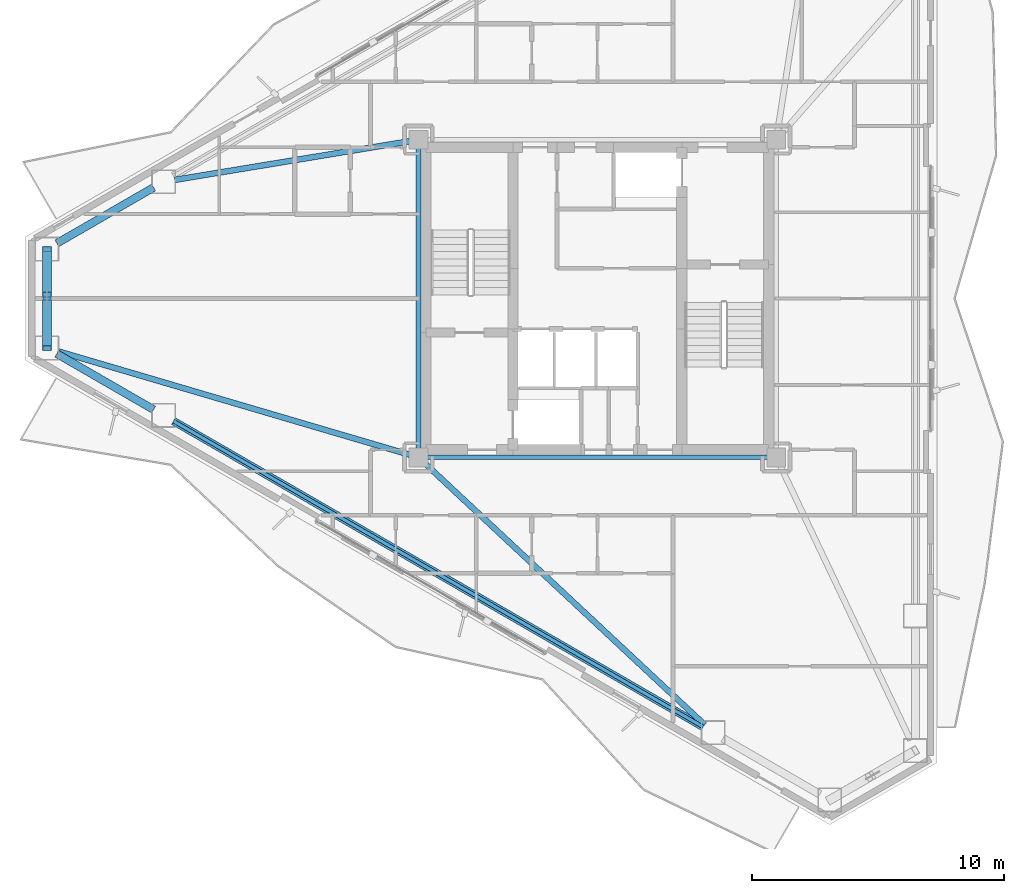
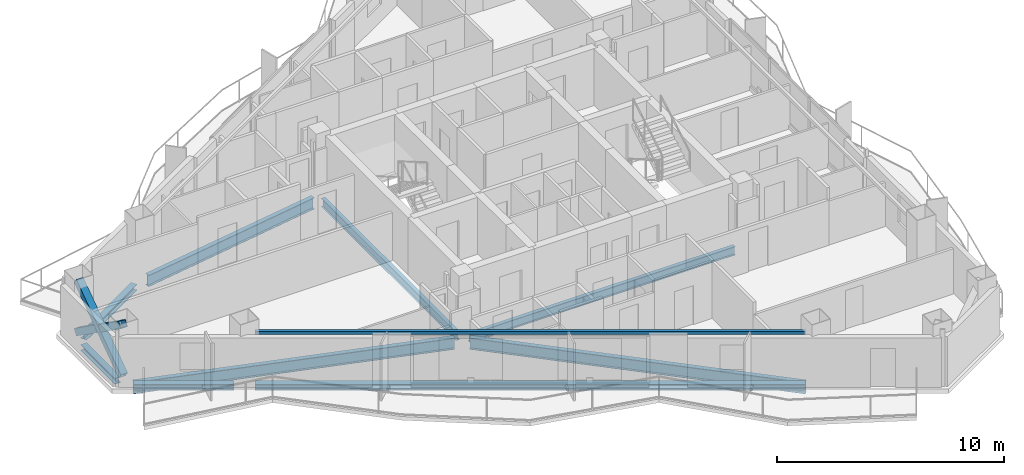
# One storey, part 4 of 18: 10 beams, 3 members.
"""IFC4 building model written with IfcOpenShell, lengths in metres."""

from ifc_helpers import new_model, si_unit, direction, frame, origin, origin_2d, place, context, subcontext, project, spatial, hollow_rectangle, i_section, extrude, material, material_profile, profile_set, type_object, element, save


model = new_model("IFC4")

# Units and contexts
model_context = context("Model", 3, precision=1e-05, world=origin(), true_north=direction((0.0, 1.0)))
body_context = subcontext(model_context, "Body", "Model", "MODEL_VIEW")
ifc_project = project(units=[si_unit("LENGTHUNIT", "METRE"), si_unit("AREAUNIT", "SQUARE_METRE"), si_unit("VOLUMEUNIT", "CUBIC_METRE"), si_unit("PLANEANGLEUNIT", "RADIAN"), si_unit("MASSUNIT", "GRAM", prefix="KILO")], contexts=[model_context])

# Site, building, storey
site_placement = place(None, origin())
site = spatial("IfcSite", under=ifc_project, at=site_placement, CompositionType="ELEMENT")
building_placement = place(site_placement, origin())
building = spatial("IfcBuilding", under=site, at=building_placement, Name="Mersakhor Tower and Convention Hall", CompositionType="ELEMENT")
storey_placement = place(building_placement, frame((0.0, 0.0, 154.199951171875)))
storey = spatial("IfcBuildingStorey", under=building, at=storey_placement, Name="L43", CompositionType="ELEMENT", Elevation=154.199951171875)

# Beams
ifc_material_1 = material(Name="Steel S355", Category="steel")
ifc_material_profile_1 = material_profile(ifc_material_1, i_section(OverallWidth=0.19140625, OverallDepth=0.4599609375, WebThickness=0.010009765625, FlangeThickness=0.01611328125, at=origin_2d()), Name="UB 457x191x82")
ifc_profile_set_1 = profile_set([ifc_material_profile_1], Name="Steel S355")
beam_type_1 = type_object("IfcBeamType", Name="BM-FB-457", PredefinedType="BEAM", material=ifc_profile_set_1)
beam_1_placement = place(storey_placement, frame((21.89990234375, 20.804931640625, -0.469970703125), z_axis=(0.0, 1.0, 0.0), x_axis=(-1.0, 0.0, 0.0)))
element("IfcBeam", 1, at=beam_1_placement, inside=storey, type_object=beam_type_1, Name="L43 Core Ring Tie Beam CRB-1", PredefinedType="BEAM", context=body_context, shape_type="SweptSolid", body=[
    extrude(i_section(OverallWidth=0.19140625, OverallDepth=0.4599609375, WebThickness=0.010009765625, FlangeThickness=0.01611328125, at=origin_2d()), origin(), (0.0, 0.0, 1.0), 11.89013671875),
])
beam_2_placement = place(storey_placement, frame((35.7451171875, 20.449951171875, -0.469970703125), z_axis=(-1.0, 0.0, 0.0), x_axis=(0.0, -1.0, 0.0)))
element("IfcBeam", 2, at=beam_2_placement, inside=storey, type_object=beam_type_1, Name="L43 Core Ring Tie Beam CRB-4", PredefinedType="BEAM", context=body_context, shape_type="SweptSolid", body=[
    extrude(i_section(OverallWidth=0.19140625, OverallDepth=0.4599609375, WebThickness=0.010009765625, FlangeThickness=0.01611328125, at=origin_2d()), origin(), (0.0, 0.0, 1.0), 13.490234375),
])
ifc_material_2 = material(Name="Steel S355", Category="steel")
ifc_material_profile_2 = material_profile(ifc_material_2, hollow_rectangle(XDim=0.14990234375, YDim=0.14990234375, WallThickness=0.010009765625, at=origin_2d()), Name="SHS 150x150x10")
ifc_profile_set_2 = profile_set([ifc_material_profile_2], Name="Steel S355")
beam_type_2 = type_object("IfcBeamType", Name="BM-GRT-SHS150", PredefinedType="USERDEFINED", material=ifc_profile_set_2)
beam_3_placement = place(storey_placement, frame((33.198486328125, 9.754638671875, 2.47998046875), z_axis=(-0.866027433267, 0.499996484816, 0.0), x_axis=(-0.499996484816, -0.866027433267, 0.0)))
element("IfcBeam", 3, at=beam_3_placement, inside=storey, type_object=beam_type_2, Name="L43 Facade Support Girt GRT-F3", ObjectType="GIRT", PredefinedType="USERDEFINED", context=body_context, shape_type="SweptSolid", body=[
    extrude(hollow_rectangle(XDim=0.14990234375, YDim=0.14990234375, WallThickness=0.010009765625, at=origin_2d()), origin(), (0.0, 0.0, 1.0), 24.267333984375),
])
ifc_material_3 = material(Name="Steel S355", Category="steel")
ifc_material_profile_3 = material_profile(ifc_material_3, i_section(OverallWidth=0.22900390625, OverallDepth=0.6123046875, WebThickness=0.011962890625, FlangeThickness=0.01953125, at=origin_2d()), Name="UB 610x229x125")
ifc_profile_set_3 = profile_set([ifc_material_profile_3], Name="Steel S355")
beam_type_3 = type_object("IfcBeamType", Name="BM-PR-610", PredefinedType="BEAM", material=ifc_profile_set_3)
beam_4_placement = place(storey_placement, frame((21.5498046875, 32.9921875, -0.546142578125), z_axis=(-0.986703962282, -0.162527815515, 0.0), x_axis=(0.162527815515, -0.986703962282, 0.0)))
element("IfcBeam", 4, at=beam_4_placement, inside=storey, type_object=beam_type_3, Name="L43 Primary Floor Girder FG-1", PredefinedType="BEAM", context=body_context, shape_type="SweptSolid", body=[
    extrude(i_section(OverallWidth=0.22900390625, OverallDepth=0.6123046875, WebThickness=0.011962890625, FlangeThickness=0.01953125, at=origin_2d()), origin(), (0.0, 0.0, 1.0), 9.43798828125),
])
beam_5_placement = place(storey_placement, frame((22.159423828125, 20.207763671875, -0.546142578125), z_axis=(0.730740936679, -0.682654878736, 0.0), x_axis=(0.682654878736, 0.730740936679, 0.0)))
element("IfcBeam", 5, at=beam_5_placement, inside=storey, type_object=beam_type_3, Name="L43 Primary Floor Girder FG-5", PredefinedType="BEAM", context=body_context, shape_type="SweptSolid", body=[
    extrude(i_section(OverallWidth=0.22900390625, OverallDepth=0.6123046875, WebThickness=0.011962890625, FlangeThickness=0.01953125, at=origin_2d()), origin(), (0.0, 0.0, 1.0), 15.19091796875),
])
beam_6_placement = place(storey_placement, frame((21.559326171875, 20.55029296875, -0.546142578125), z_axis=(-0.959324090351, 0.282307083992, 0.0), x_axis=(-0.282307083992, -0.959324090351, 0.0)))
element("IfcBeam", 6, at=beam_6_placement, inside=storey, type_object=beam_type_3, Name="L43 Primary Floor Girder FG-6", PredefinedType="BEAM", context=body_context, shape_type="SweptSolid", body=[
    extrude(i_section(OverallWidth=0.22900390625, OverallDepth=0.6123046875, WebThickness=0.011962890625, FlangeThickness=0.01953125, at=origin_2d()), origin(), (0.0, 0.0, 1.0), 14.5546875),
])
ifc_material_4 = material(Name="Steel S355", Category="steel")
ifc_material_profile_4 = material_profile(ifc_material_4, i_section(OverallWidth=0.30908203125, OverallDepth=0.320556640625, WebThickness=0.013916015625, FlangeThickness=0.021728515625, at=origin_2d()), Name="UC 305x305x137")
ifc_profile_set_4 = profile_set([ifc_material_profile_4], Name="Steel S355")
beam_type_4 = type_object("IfcBeamType", Name="BM-SPD-UC305", PredefinedType="SPANDREL", material=ifc_profile_set_4)
beam_7_placement = place(storey_placement, frame((7.55419921875, 28.939697265625, -0.400146484375), z_axis=(0.866028798401, 0.499994120305, 0.0), x_axis=(-0.499994120305, 0.866028798401, 0.0)))
element("IfcBeam", 7, at=beam_7_placement, inside=storey, type_object=beam_type_4, Name="L43 Perimeter Spandrel Beam SPB-01", PredefinedType="SPANDREL", context=body_context, shape_type="SweptSolid", body=[
    extrude(i_section(OverallWidth=0.30908203125, OverallDepth=0.320556640625, WebThickness=0.013916015625, FlangeThickness=0.021728515625, at=origin_2d()), origin(), (0.0, 0.0, 1.0), 4.43408203125),
])
beam_8_placement = place(storey_placement, frame((33.198486328125, 9.754638671875, -0.400146484375), z_axis=(-0.866027433267, 0.499996484816, 0.0), x_axis=(-0.499996484816, -0.866027433267, 0.0)))
element("IfcBeam", 8, at=beam_8_placement, inside=storey, type_object=beam_type_4, Name="L43 Perimeter Spandrel Beam SPB-10", PredefinedType="SPANDREL", context=body_context, shape_type="SweptSolid", body=[
    extrude(i_section(OverallWidth=0.30908203125, OverallDepth=0.320556640625, WebThickness=0.013916015625, FlangeThickness=0.021728515625, at=origin_2d()), origin(), (0.0, 0.0, 1.0), 24.267333984375),
])
beam_9_placement = place(storey_placement, frame((11.394287109375, 22.34326171875, -0.400146484375), z_axis=(-0.866028798401, 0.499994120305, 0.0), x_axis=(-0.499994120305, -0.866028798401, 0.0)))
element("IfcBeam", 9, at=beam_9_placement, inside=storey, type_object=beam_type_4, Name="L43 Perimeter Spandrel Beam SPB-11", PredefinedType="SPANDREL", context=body_context, shape_type="SweptSolid", body=[
    extrude(i_section(OverallWidth=0.30908203125, OverallDepth=0.320556640625, WebThickness=0.013916015625, FlangeThickness=0.021728515625, at=origin_2d()), origin(), (0.0, 0.0, 1.0), 4.43408203125),
])
beam_10_placement = place(storey_placement, frame((7.160400390625, 25.24267578125, -0.400146484375), z_axis=(0.0, 1.0, 0.0), x_axis=(-1.0, 0.0, 0.0)))
element("IfcBeam", 10, at=beam_10_placement, inside=storey, type_object=beam_type_4, Name="L43 Perimeter Spandrel Beam SPB-12", PredefinedType="SPANDREL", context=body_context, shape_type="SweptSolid", body=[
    extrude(i_section(OverallWidth=0.30908203125, OverallDepth=0.320556640625, WebThickness=0.013916015625, FlangeThickness=0.021728515625, at=origin_2d()), origin(), (0.0, 0.0, 1.0), 3.0146484375),
])

# Members
ifc_material_5 = material(Name="Steel S460", Category="steel")
ifc_material_profile_5 = material_profile(ifc_material_5, hollow_rectangle(XDim=0.35009765625, YDim=0.35009765625, WallThickness=0.02001953125, at=origin_2d()), Name="SHS 350x350x20")
ifc_profile_set_5 = profile_set([ifc_material_profile_5], Name="Steel S460")
member_type = type_object("IfcMemberType", Name="MB-BRC-SHS350", PredefinedType="BRACE", material=ifc_profile_set_5)
member_placement = place(storey_placement, frame((7.160400390625, 24.78759765625, 0.150146484375), z_axis=(0.0, 0.817991748952, 0.575229952843), x_axis=(-1.0, 0.0, 0.0)))
element("IfcMember", 11, at=member_placement, inside=storey, type_object=member_type, Name="L43 Chamfer Braced Frame Diagonal CB-3A", PredefinedType="BRACE", context=body_context, shape_type="SweptSolid", body=[
    extrude(hollow_rectangle(XDim=0.35009765625, YDim=0.35009765625, WallThickness=0.02001953125, at=origin_2d()), origin(), (0.0, 0.0, 1.0), 4.798095703125),
])
for number, where, z_axis, x_axis, name in (
    (12, (7.160400390625, 28.71240234375, 0.150146484375), (0.0, -0.818012878097, 0.575199905483), (1.0, 0.0, 0.0), "L43 Chamfer Braced Frame Diagonal CB-3B Lower Half"),
    (13, (7.160400390625, 26.59130859375, 1.6416015625), (0.0, -0.817960781121, 0.575273987372), (1.0, 0.0, 0.0), "L43 Chamfer Braced Frame Diagonal CB-3B Upper Half"),
):
    element("IfcMember", number, at=place(storey_placement, frame(where, z_axis=z_axis, x_axis=x_axis)), inside=storey, type_object=member_type, Name=name, PredefinedType="BRACE", context=body_context, shape_type="SweptSolid", body=[
        extrude(hollow_rectangle(XDim=0.35009765625, YDim=0.35009765625, WallThickness=0.02001953125, at=origin_2d()), origin(), (0.0, 0.0, 1.0), 2.205078125),
    ])

save(model, "model.ifc")
